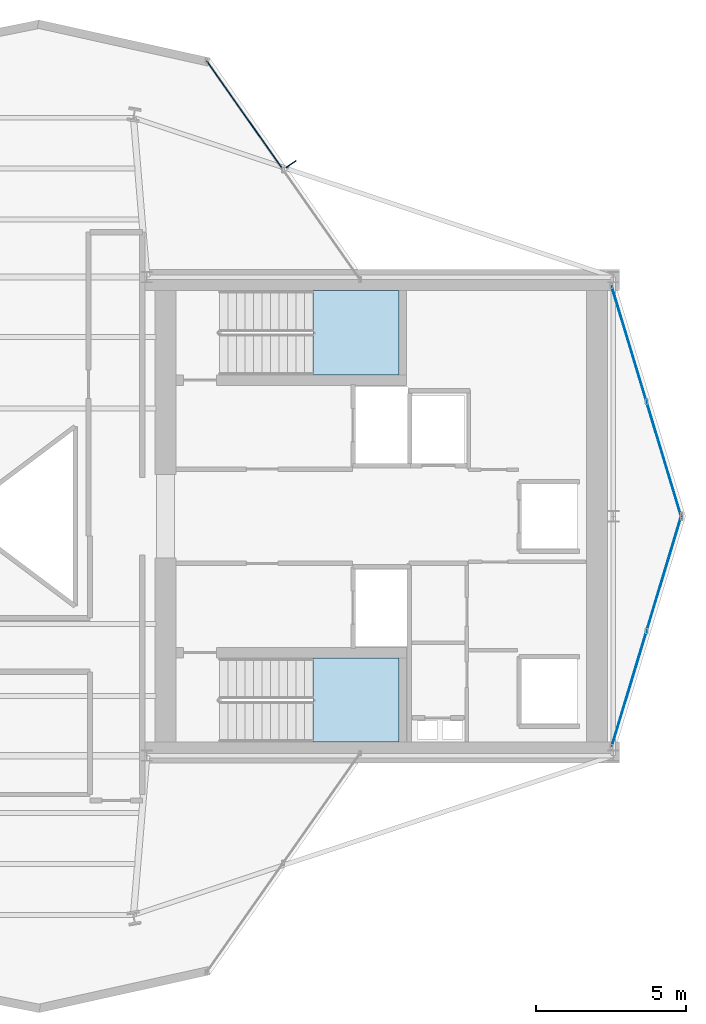
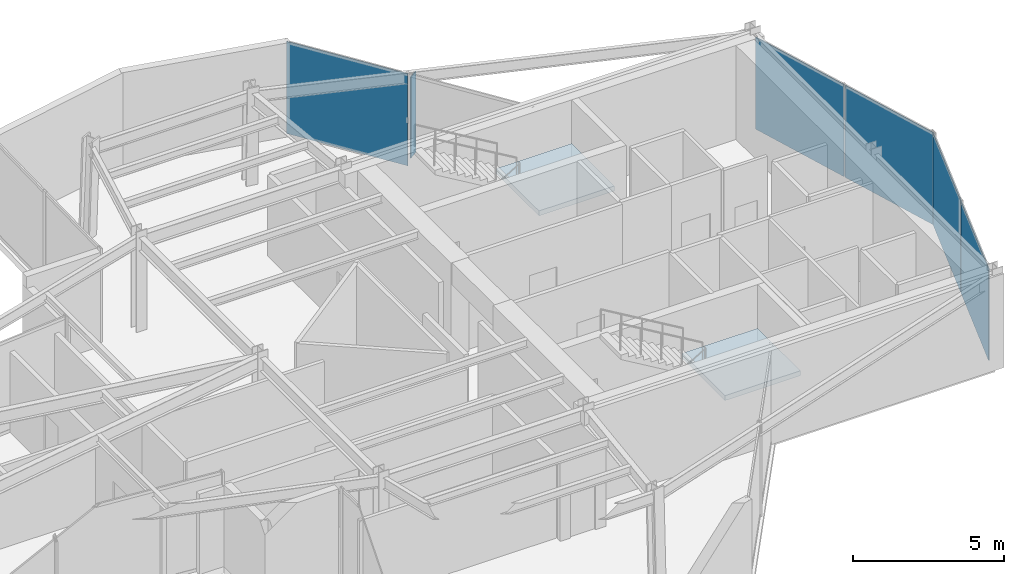
# One storey, part 20 of 23: 6 plates, 2 slabs, 5 elements without a shape of their own.
"""IFC4 building model written with IfcOpenShell, lengths in metres."""

from ifc_helpers import new_model, si_unit, direction, frame, origin, origin_2d, place, context, subcontext, project, spatial, polyline, rectangle, outline, extrude, material, layer, layer_set, type_object, element, aggregate, save


model = new_model("IFC4")

# Units and contexts
model_context = context("Model", 3, precision=1e-05, world=origin(), true_north=direction((0.0, 1.0)))
body_context = subcontext(model_context, "Body", "Model", "MODEL_VIEW")
ifc_project = project(units=[si_unit("LENGTHUNIT", "METRE"), si_unit("AREAUNIT", "SQUARE_METRE"), si_unit("VOLUMEUNIT", "CUBIC_METRE"), si_unit("PLANEANGLEUNIT", "RADIAN"), si_unit("MASSUNIT", "GRAM", prefix="KILO")], contexts=[model_context])

# Site, building, storey
site_placement = place(None, origin())
site = spatial("IfcSite", under=ifc_project, at=site_placement, CompositionType="ELEMENT")
building_placement = place(site_placement, origin())
building = spatial("IfcBuilding", under=site, at=building_placement, Name="Veymaron Broadcast Tower", CompositionType="ELEMENT")
storey_placement = place(building_placement, frame((0.0, 0.0, 224.25)))
storey = spatial("IfcBuildingStorey", under=building, at=storey_placement, Name="L52", CompositionType="ELEMENT", Elevation=224.25)

# Curtain wall, plates
ifc_material_1 = material(Name="Anodised aluminium AA 6063-T6 and laminated low-E dark glass", Category="aluminium")
ifc_layer_1 = layer(ifc_material_1, 0.179931640625)
ifc_layer_set_1 = layer_set([ifc_layer_1], Name="Anodised aluminium AA 6063-T6 and laminated low-E dark glass")
curtain_wall_type = type_object("IfcCurtainWallType", Name="CW-SYS-05", PredefinedType="NOTDEFINED", material=ifc_layer_set_1)
curtain_wall_1_placement = place(storey_placement, origin())
curtain_wall_1 = element("IfcCurtainWall", 1, at=curtain_wall_1_placement, inside=storey, type_object=curtain_wall_type, Name="L52 dark-glass curtain wall CW-L52-E2-1", PredefinedType="NOTDEFINED")
ifc_material_2 = material(Name="Double-silver solar-control dark glass IGU 32 mm", Category="glass")
ifc_layer_2 = layer(ifc_material_2, 0.031982421875)
ifc_layer_set_2 = layer_set([ifc_layer_2], Name="Double-silver solar-control dark glass IGU 32 mm")
plate_type_1 = type_object("IfcPlateType", Name="CW-PNL-02", PredefinedType="CURTAIN_PANEL", material=ifc_layer_set_2)
plate_1_placement = place(storey_placement, frame((55.125, 18.22314453125, 0.0400390625), z_axis=(0.0, 0.0, 1.0), x_axis=(0.288998380014, 0.957329586062, 0.0)))
plate_1 = element("IfcPlate", 2, at=plate_1_placement, type_object=plate_type_1, Name="CW-L52-E2-1 unitised curtain panel 0", PredefinedType="CURTAIN_PANEL", context=body_context, shape_type="SweptSolid", body=[
    extrude(rectangle(XDim=3.9912109375, YDim=0.031982421875, at=origin_2d()), origin(), (0.0, 0.0, 1.0), 3.7099609375),
])
plate_2_placement = place(storey_placement, frame((56.295654296875, 22.101318359375, 0.0400390625), z_axis=(0.0, 0.0, 1.0), x_axis=(0.288998380014, 0.957329586062, 0.0)))
plate_2 = element("IfcPlate", 3, at=plate_2_placement, type_object=plate_type_1, Name="CW-L52-E2-1 unitised curtain panel 1", PredefinedType="CURTAIN_PANEL", context=body_context, shape_type="SweptSolid", body=[
    extrude(rectangle(XDim=3.9912109375, YDim=0.031982421875, at=origin_2d()), origin(), (0.0, 0.0, 1.0), 3.7099609375),
])
aggregate(curtain_wall_1, [plate_1, plate_2])

curtain_wall_2_placement = place(storey_placement, origin())
curtain_wall_2 = element("IfcCurtainWall", 4, at=curtain_wall_2_placement, inside=storey, type_object=curtain_wall_type, Name="L52 dark-glass curtain wall CW-L52-E3-1", PredefinedType="NOTDEFINED")
plate_3_placement = place(storey_placement, frame((56.295654296875, 25.898681640625, 0.0400390625), z_axis=(0.0, 0.0, 1.0), x_axis=(-0.288998380014, 0.957329586062, 0.0)))
plate_3 = element("IfcPlate", 5, at=plate_3_placement, type_object=plate_type_1, Name="CW-L52-E3-1 unitised curtain panel 0", PredefinedType="CURTAIN_PANEL", context=body_context, shape_type="SweptSolid", body=[
    extrude(rectangle(XDim=3.9912109375, YDim=0.031982421875, at=origin_2d()), origin(), (0.0, 0.0, 1.0), 3.7099609375),
])
plate_4_placement = place(storey_placement, frame((55.125, 29.77685546875, 0.0400390625), z_axis=(0.0, 0.0, 1.0), x_axis=(-0.288998380014, 0.957329586062, 0.0)))
plate_4 = element("IfcPlate", 6, at=plate_4_placement, type_object=plate_type_1, Name="CW-L52-E3-1 unitised curtain panel 1", PredefinedType="CURTAIN_PANEL", context=body_context, shape_type="SweptSolid", body=[
    extrude(rectangle(XDim=3.9912109375, YDim=0.031982421875, at=origin_2d()), origin(), (0.0, 0.0, 1.0), 3.7099609375),
])
aggregate(curtain_wall_2, [plate_3, plate_4])

# Curtain wall, plate
curtain_wall_3_placement = place(storey_placement, origin())
curtain_wall_3 = element("IfcCurtainWall", 7, at=curtain_wall_3_placement, inside=storey, type_object=curtain_wall_type, Name="L52 dark-glass curtain wall CW-L52-E5-1", PredefinedType="NOTDEFINED")
plate_5_placement = place(storey_placement, frame((42.27197265625, 37.417236328125, 0.0400390625), z_axis=(0.0, 0.0, 1.0), x_axis=(-0.573905218834, 0.818921729957, 0.0)))
plate_5 = element("IfcPlate", 8, at=plate_5_placement, type_object=plate_type_1, Name="CW-L52-E5-1 unitised curtain panel 1", PredefinedType="CURTAIN_PANEL", context=body_context, shape_type="SweptSolid", body=[
    extrude(rectangle(XDim=4.415283203125, YDim=0.031982421875, at=origin_2d()), origin(), (0.0, 0.0, 1.0), 3.7099609375),
])
aggregate(curtain_wall_3, [plate_5])

# Plate
ifc_material_3 = material(Name="Dark-anodised aluminium AA 6061-T6", Category="aluminium")
ifc_layer_3 = layer(ifc_material_3, 0.031982421875)
ifc_layer_set_3 = layer_set([ifc_layer_3], Name="Dark-anodised aluminium AA 6061-T6")
plate_type_2 = type_object("IfcPlateType", Name="FIN-CHEV-03", PredefinedType="USERDEFINED", material=ifc_layer_set_3)
plate_6_placement = place(storey_placement, frame((43.826416015625, 35.774169921875, 0.26513671875), z_axis=(0.0, 0.0, 1.0), x_axis=(0.818921729957, 0.573905218834, 0.0)))
element("IfcPlate", 9, at=plate_6_placement, inside=storey, type_object=plate_type_2, Name="CW-L52-E5-1 chevron fin 1", ObjectType="FIN", PredefinedType="USERDEFINED", context=body_context, shape_type="SweptSolid", body=[
    extrude(rectangle(XDim=0.39990234375, YDim=0.034912109375, at=origin_2d()), origin(), (0.0, 0.0, 1.0), 3.259521484375),
])

# Stair, slab
ifc_material_4 = material(Name="Concrete C50/60", Category="concrete")
stair_type_1 = type_object("IfcStairType", Name="STAIR-CORE-1", PredefinedType="HALF_TURN_STAIR", material=ifc_material_4)
stair_1_placement = place(storey_placement, origin())
stair_1 = element("IfcStair", 10, at=stair_1_placement, inside=storey, type_object=stair_type_1, Name="L52 North protected dog-leg exit stair ST1", PredefinedType="HALF_TURN_STAIR")
ifc_layer_4 = layer(ifc_material_4, 0.199951171875)
ifc_layer_set_4 = layer_set([ifc_layer_4], Name="Concrete C50/60")
slab_type = type_object("IfcSlabType", Name="SLAB-STAIR-LDG", PredefinedType="LANDING", material=ifc_layer_set_4)
slab_1_placement = place(storey_placement, frame((0.0, 0.0, 1.824951171875)))
slab_1 = element("IfcSlab", 11, at=slab_1_placement, type_object=slab_type, Name="ST1 landing 1", PredefinedType="LANDING", context=body_context, shape_type="SweptSolid", body=[
    extrude(outline(polyline([(44.56494140625, 28.72998046875), (47.43994140625, 28.72998046875), (47.43994140625, 31.550048828125), (44.56494140625, 31.550048828125), (44.56494140625, 28.72998046875)])), origin(), (0.0, 0.0, 1.0), 0.199951171875),
])
aggregate(stair_1, [slab_1])

stair_type_2 = type_object("IfcStairType", Name="STAIR-CORE-2", PredefinedType="HALF_TURN_STAIR", material=ifc_material_4)
stair_2_placement = place(storey_placement, origin())
stair_2 = element("IfcStair", 12, at=stair_2_placement, inside=storey, type_object=stair_type_2, Name="L52 South protected dog-leg exit stair ST2", PredefinedType="HALF_TURN_STAIR")
slab_2_placement = place(storey_placement, frame((0.0, 0.0, 1.824951171875)))
slab_2 = element("IfcSlab", 13, at=slab_2_placement, type_object=slab_type, Name="ST2 landing 1", PredefinedType="LANDING", context=body_context, shape_type="SweptSolid", body=[
    extrude(outline(polyline([(44.56494140625, 16.449951171875), (47.43994140625, 16.449951171875), (47.43994140625, 19.27001953125), (44.56494140625, 19.27001953125), (44.56494140625, 16.449951171875)])), origin(), (0.0, 0.0, 1.0), 0.199951171875),
])
aggregate(stair_2, [slab_2])

save(model, "model.ifc")
